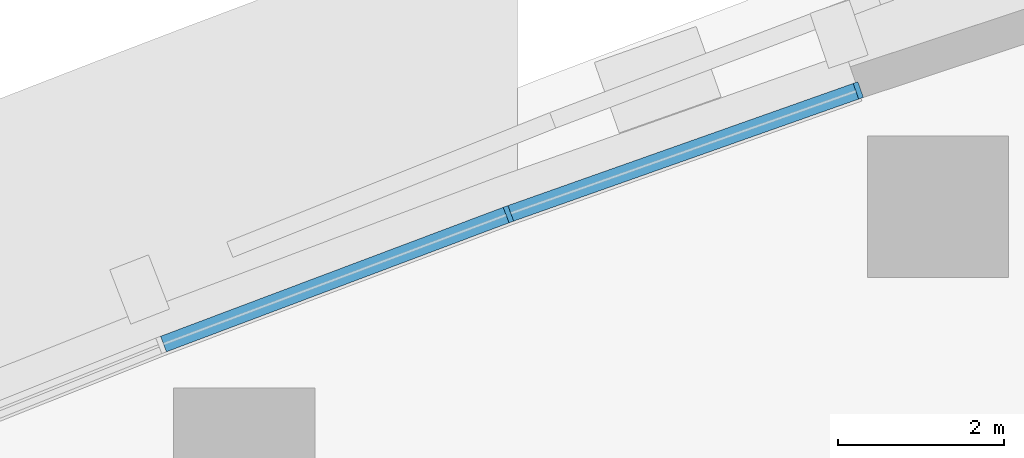
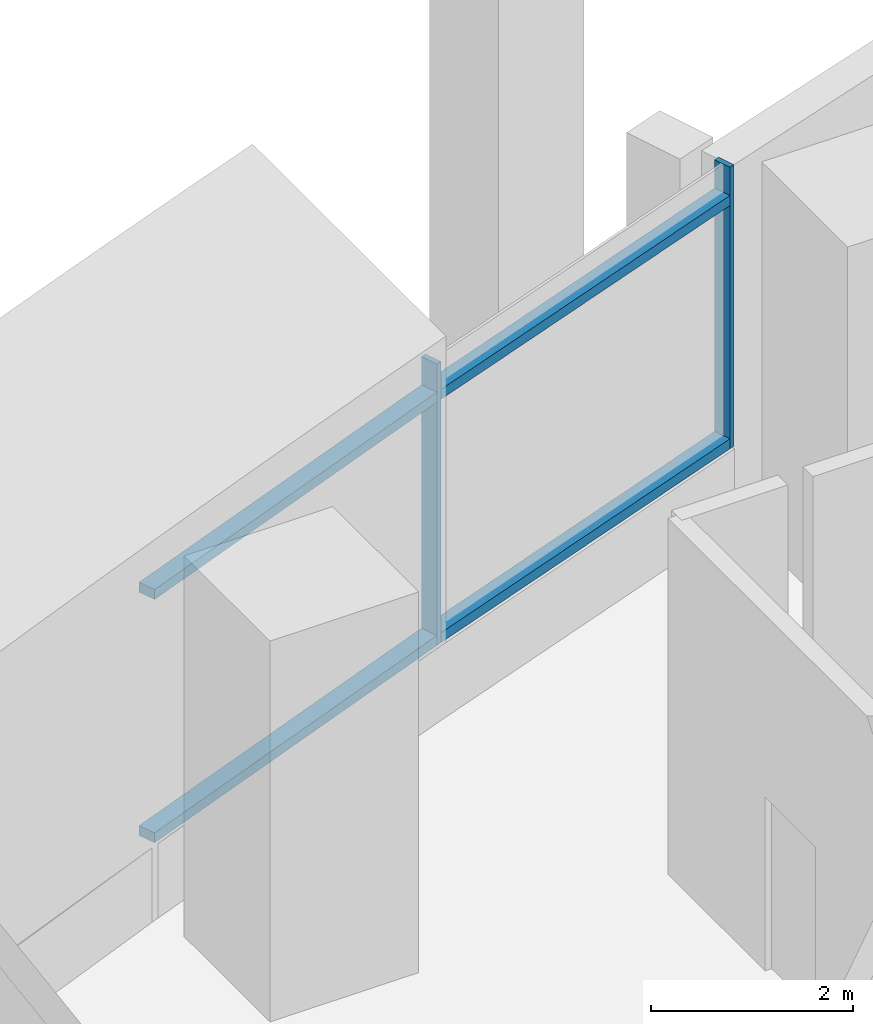
# One storey, part 5 of 17: 6 members, 1 element without a shape of its own.
"""IFC4 building model written with IfcOpenShell, lengths in metres."""

from ifc_helpers import new_model, si_unit, direction, frame, origin, origin_2d, place, context, subcontext, project, spatial, rectangle, extrude, material, layer, layer_set, material_profile, profile_set, type_object, element, aggregate, save


model = new_model("IFC4")

# Units and contexts
model_context = context("Model", 3, precision=1e-05, world=origin(), true_north=direction((0.0, 1.0)))
body_context = subcontext(model_context, "Body", "Model", "MODEL_VIEW")
ifc_project = project(units=[si_unit("LENGTHUNIT", "METRE"), si_unit("AREAUNIT", "SQUARE_METRE"), si_unit("VOLUMEUNIT", "CUBIC_METRE"), si_unit("PLANEANGLEUNIT", "RADIAN"), si_unit("MASSUNIT", "GRAM", prefix="KILO")], contexts=[model_context])

# Site, building, storey
site_placement = place(None, origin())
site = spatial("IfcSite", under=ifc_project, at=site_placement, CompositionType="ELEMENT")
building_placement = place(site_placement, origin())
building = spatial("IfcBuilding", under=site, at=building_placement, Name="Ostrand Prow Hotel Tower", CompositionType="ELEMENT")
storey_placement = place(building_placement, frame((0.0, 0.0, 80.300048828125)))
storey = spatial("IfcBuildingStorey", under=building, at=storey_placement, Name="L18", CompositionType="ELEMENT", Elevation=80.300048828125)

# Curtain wall, members
ifc_material_1 = material(Name="Insulated glass in bronze anodised frame", Category="glass")
ifc_layer = layer(ifc_material_1, 0.199951171875)
ifc_layer_set = layer_set([ifc_layer], Name="Insulated glass in bronze anodised frame")
curtain_wall_type = type_object("IfcCurtainWallType", Name="Sky lobby full-height curtain wall", PredefinedType="NOTDEFINED", material=ifc_layer_set)
curtain_wall_placement = place(storey_placement, origin())
curtain_wall = element("IfcCurtainWall", 1, at=curtain_wall_placement, inside=storey, type_object=curtain_wall_type, Name="CW3 run CWN1", PredefinedType="NOTDEFINED")
ifc_material_2 = material(Name="Bronze anodised aluminium", Category="aluminium")
ifc_material_profile_1 = material_profile(ifc_material_2, rectangle(XDim=0.199951171875, YDim=0.06005859375, at=origin_2d()), Name="Mullion 60x200 bronze anodised aluminium")
ifc_profile_set_1 = profile_set([ifc_material_profile_1], Name="Bronze anodised aluminium")
member_type_1 = type_object("IfcMemberType", Name="Mullion 60x200 bronze anodised aluminium", PredefinedType="MULLION", material=ifc_profile_set_1)
member_1_placement = place(storey_placement, frame((51.601318359375, 25.692138671875, 0.89990234375), z_axis=(0.0, 0.0, 1.0), x_axis=(0.333495894542, -0.942751551748, 0.0)))
member_1 = element("IfcMember", 2, at=member_1_placement, type_object=member_type_1, Name="CW3 mullion 1", PredefinedType="MULLION", context=body_context, shape_type="SweptSolid", body=[
    extrude(rectangle(XDim=0.199951171875, YDim=0.06005859375, at=origin_2d()), origin(), (0.0, 0.0, 1.0), 3.400146484375),
])
member_2_placement = place(storey_placement, frame((47.390869140625, 24.202880859375, 0.89990234375), z_axis=(0.0, 0.0, 1.0), x_axis=(0.35230885193, -0.935883792387, 0.0)))
member_2 = element("IfcMember", 3, at=member_2_placement, type_object=member_type_1, Name="CW3 mullion 2", PredefinedType="MULLION", context=body_context, shape_type="SweptSolid", body=[
    extrude(rectangle(XDim=0.199951171875, YDim=0.06005859375, at=origin_2d()), origin(), (0.0, 0.0, 1.0), 3.400146484375),
])
ifc_material_3 = material(Name="Bronze anodised aluminium", Category="aluminium")
ifc_material_profile_2 = material_profile(ifc_material_3, rectangle(XDim=0.199951171875, YDim=0.1201171875, at=origin_2d()), Name="Transom 120x200 bronze anodised aluminium")
ifc_profile_set_2 = profile_set([ifc_material_profile_2], Name="Bronze anodised aluminium")
member_type_2 = type_object("IfcMemberType", Name="Transom 120x200 bronze anodised aluminium", PredefinedType="USERDEFINED", material=ifc_profile_set_2)
member_3_placement = place(storey_placement, frame((51.572998046875, 25.68212890625, 0.9599609375), z_axis=(-0.942763014139, -0.333463490013, 0.0), x_axis=(0.333463490013, -0.942763014139, 0.0)))
member_3 = element("IfcMember", 4, at=member_3_placement, type_object=member_type_2, Name="CW3 transom 1.1", ObjectType="TRANSOM", PredefinedType="USERDEFINED", context=body_context, shape_type="SweptSolid", body=[
    extrude(rectangle(XDim=0.199951171875, YDim=0.1201171875, at=origin_2d()), origin(), (0.0, 0.0, 1.0), 4.406005859375),
])
member_4_placement = place(storey_placement, frame((51.572998046875, 25.68212890625, 3.89990234375), z_axis=(-0.942763014139, -0.333463490013, 0.0), x_axis=(0.333463490013, -0.942763014139, 0.0)))
member_4 = element("IfcMember", 5, at=member_4_placement, type_object=member_type_2, Name="CW3 transom 1.2", ObjectType="TRANSOM", PredefinedType="USERDEFINED", context=body_context, shape_type="SweptSolid", body=[
    extrude(rectangle(XDim=0.199951171875, YDim=0.1201171875, at=origin_2d()), origin(), (0.0, 0.0, 1.0), 4.406005859375),
])
member_5_placement = place(storey_placement, frame((47.36279296875, 24.1923828125, 0.9599609375), z_axis=(-0.935868398429, -0.352349742191, 0.0), x_axis=(0.352349742191, -0.935868398429, 0.0)))
member_5 = element("IfcMember", 6, at=member_5_placement, type_object=member_type_2, Name="CW3 transom 2.1", ObjectType="TRANSOM", PredefinedType="USERDEFINED", context=body_context, shape_type="SweptSolid", body=[
    extrude(rectangle(XDim=0.199951171875, YDim=0.1201171875, at=origin_2d()), origin(), (0.0, 0.0, 1.0), 4.406005859375),
])
member_6_placement = place(storey_placement, frame((47.36279296875, 24.1923828125, 3.89990234375), z_axis=(-0.935868398429, -0.352349742191, 0.0), x_axis=(0.352349742191, -0.935868398429, 0.0)))
member_6 = element("IfcMember", 7, at=member_6_placement, type_object=member_type_2, Name="CW3 transom 2.2", ObjectType="TRANSOM", PredefinedType="USERDEFINED", context=body_context, shape_type="SweptSolid", body=[
    extrude(rectangle(XDim=0.199951171875, YDim=0.1201171875, at=origin_2d()), origin(), (0.0, 0.0, 1.0), 4.406005859375),
])
aggregate(curtain_wall, [member_1, member_2, member_3, member_4, member_5, member_6])

save(model, "model.ifc")
